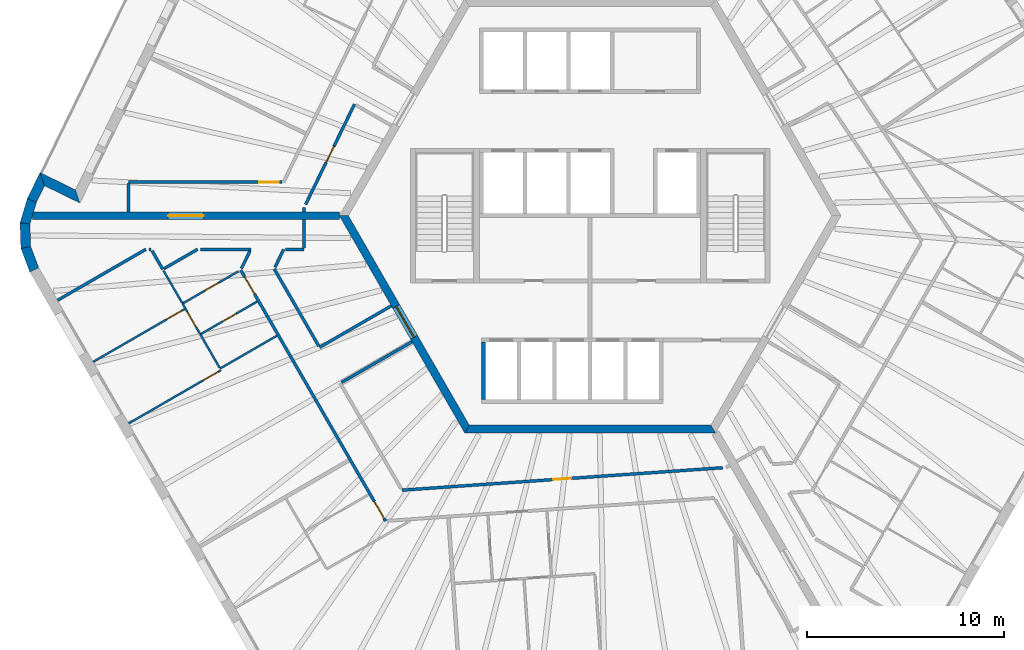
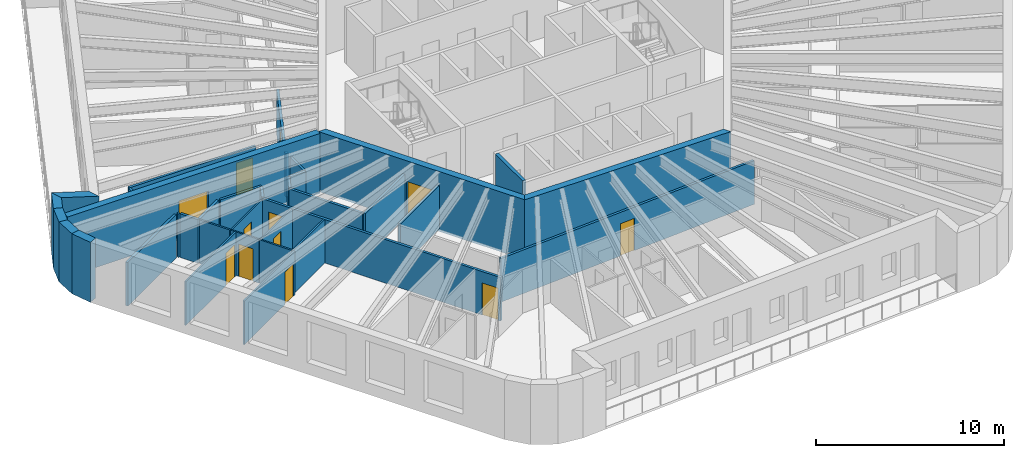
# One storey, part 4 of 12: 35 walls, 12 doors, 12 openings.
"""IFC4 building model written with IfcOpenShell, lengths in metres."""

from ifc_helpers import new_model, si_unit, direction, frame, frame_2d, origin, place, context, subcontext, project, spatial, polyline, rectangle, outline, extrude, material, layer, layer_set, type_object, element, fill, save


model = new_model("IFC4")

# Units and contexts
model_context = context("Model", 3, precision=1e-05, world=origin(), true_north=direction((0.0, 1.0)))
body_context = subcontext(model_context, "Body", "Model", "MODEL_VIEW")
ifc_project = project(units=[si_unit("LENGTHUNIT", "METRE"), si_unit("AREAUNIT", "SQUARE_METRE"), si_unit("VOLUMEUNIT", "CUBIC_METRE"), si_unit("PLANEANGLEUNIT", "RADIAN"), si_unit("MASSUNIT", "GRAM", prefix="KILO")], contexts=[model_context])

# Site, building, storey
site_placement = place(None, origin())
site = spatial("IfcSite", under=ifc_project, at=site_placement, CompositionType="ELEMENT")
building_placement = place(site_placement, origin())
building = spatial("IfcBuilding", under=site, at=building_placement, Name="Tarnside Tower", CompositionType="ELEMENT")
storey_placement = place(building_placement, frame((0.0, 0.0, 330.300048828125)))
storey = spatial("IfcBuildingStorey", under=building, at=storey_placement, Name="L80", CompositionType="ELEMENT", Elevation=330.300048828125)

# Wall
ifc_material_1 = material(Name="Gypsum board partition on steel studs", Category="steel")
ifc_layer_1 = layer(ifc_material_1, 0.10009765625)
ifc_layer_set_1 = layer_set([ifc_layer_1], Name="Bathroom wall 100")
wall_type_1 = type_object("IfcWallType", Name="Bathroom wall 100", PredefinedType="PARTITIONING", material=ifc_layer_set_1)
wall_1_placement = place(storey_placement, frame((-15.861083984375, -6.07763671875, 0.0), z_axis=(0.0, 0.0, 1.0), x_axis=(-0.866020521143, -0.500008456887, 0.0)))
element("IfcWall", 1, at=wall_1_placement, inside=storey, type_object=wall_type_1, Name="Bathroom wall 26109", PredefinedType="PARTITIONING", context=body_context, shape_type="SweptSolid", body=[
    extrude(rectangle(XDim=3.3251953125, YDim=0.10009765625, at=frame_2d((1.66259765625, 0.0))), origin(), (0.0, 0.0, 1.0), 2.837646484375),
])

# Wall, opening, door
wall_2_placement = place(storey_placement, frame((-19.74072265625, -6.008056640625, 0.0), z_axis=(0.0, 0.0, 1.0), x_axis=(0.866052313871, 0.499953387465, 0.0)))
wall_2 = element("IfcWall", 2, at=wall_2_placement, inside=storey, type_object=wall_type_1, Name="Bathroom wall 26113", PredefinedType="PARTITIONING", context=body_context, shape_type="SweptSolid", body=[
    extrude(rectangle(XDim=3.324951171875, YDim=0.10009765625, at=frame_2d((1.66259765625, 0.0))), origin(), (0.0, 0.0, 1.0), 2.837646484375),
])
opening_1_placement = place(wall_2_placement, frame((1.300048828125, 0.0, 0.0)))
opening_1 = element("IfcOpeningElement", 3, at=opening_1_placement, cuts=wall_2, Name="Opening D-B1", PredefinedType="OPENING", context=body_context, shape_type="SweptSolid", body=[
    extrude(rectangle(XDim=0.800048828125, YDim=2.10009765625, at=frame_2d((0.39990234375, 1.050048828125))), frame((0.0, 0.06005859375, 0.0), z_axis=(0.0, -1.0, 0.0), x_axis=(1.0, 0.0, 0.0)), (0.0, 0.0, 1.0), 0.1201171875),
])
ifc_material_2 = material(Name="Timber door leaf", Category="wood")
door_type_1 = type_object("IfcDoorType", Name="Bathroom door 800", OperationType="NOTDEFINED", PredefinedType="DOOR", material=ifc_material_2)
door_1_placement = place(opening_1_placement, origin())
door_1 = element("IfcDoor", 4, at=door_1_placement, inside=storey, type_object=door_type_1, Name="Bathroom door 26020", OperationType="SINGLE_SWING_LEFT", OverallHeight=2.10009765625, OverallWidth=0.800048828125, PredefinedType="DOOR", context=body_context, shape_type="SweptSolid", body=[
    extrude(rectangle(XDim=0.800048828125, YDim=2.10009765625, at=frame_2d((0.39990234375, 1.050048828125))), frame((0.0, 0.02490234375, 0.0), z_axis=(0.0, -1.0, 0.0), x_axis=(1.0, 0.0, 0.0)), (0.0, 0.0, 1.0), 0.050048828125),
])
fill(opening_1, door_1)

wall_3_placement = place(storey_placement, frame((-17.812255859375, -2.81640625, 0.0), z_axis=(0.0, 0.0, 1.0), x_axis=(-0.866044918084, -0.499966198718, 0.0)))
wall_3 = element("IfcWall", 5, at=wall_3_placement, inside=storey, type_object=wall_type_1, Name="Bathroom wall 26116", PredefinedType="PARTITIONING", context=body_context, shape_type="SweptSolid", body=[
    extrude(rectangle(XDim=3.265869140625, YDim=0.10009765625, at=frame_2d((1.6328125, 0.0))), origin(), (0.0, 0.0, 1.0), 2.837646484375),
])
opening_2_placement = place(wall_3_placement, frame((1.165771484375, 0.0, 0.0)))
opening_2 = element("IfcOpeningElement", 6, at=opening_2_placement, cuts=wall_3, Name="Opening D-B1", PredefinedType="OPENING", context=body_context, shape_type="SweptSolid", body=[
    extrude(rectangle(XDim=0.800048828125, YDim=2.10009765625, at=frame_2d((0.39990234375, 1.050048828125))), frame((0.0, 0.06005859375, 0.0), z_axis=(0.0, -1.0, 0.0), x_axis=(1.0, 0.0, 0.0)), (0.0, 0.0, 1.0), 0.1201171875),
])
door_2_placement = place(opening_2_placement, origin())
door_2 = element("IfcDoor", 7, at=door_2_placement, inside=storey, type_object=door_type_1, Name="Bathroom door 26029", OperationType="SINGLE_SWING_RIGHT", OverallHeight=2.10009765625, OverallWidth=0.800048828125, PredefinedType="DOOR", context=body_context, shape_type="SweptSolid", body=[
    extrude(rectangle(XDim=0.800048828125, YDim=2.10009765625, at=frame_2d((0.39990234375, 1.050048828125))), frame((0.0, 0.02490234375, 0.0), z_axis=(0.0, -1.0, 0.0), x_axis=(1.0, 0.0, 0.0)), (0.0, 0.0, 1.0), 0.050048828125),
])
fill(opening_2, door_2)

# Walls
wall_4_placement = place(storey_placement, frame((-19.74169921875, -6.00634765625, 0.0), z_axis=(0.0, 0.0, 1.0), x_axis=(0.499982003349, -0.866035793907, 0.0)))
element("IfcWall", 8, at=wall_4_placement, inside=storey, type_object=wall_type_1, Name="Bathroom wall 26117", PredefinedType="PARTITIONING", context=body_context, shape_type="SweptSolid", body=[
    extrude(rectangle(XDim=1.9541015625, YDim=0.10009765625, at=frame_2d((0.97705078125, 0.0))), origin(), (0.0, 0.0, 1.0), 2.837646484375),
])
wall_5_placement = place(storey_placement, frame((-20.665771484375, -4.406005859375, 0.0), z_axis=(0.0, 0.0, 1.0), x_axis=(-0.500004234368, 0.866022959057, 0.0)))
element("IfcWall", 9, at=wall_5_placement, inside=storey, type_object=wall_type_1, Name="Bathroom wall 26119", PredefinedType="PARTITIONING", context=body_context, shape_type="SweptSolid", body=[
    extrude(rectangle(XDim=1.875, YDim=0.10009765625, at=frame_2d((0.9375, 0.0))), origin(), (0.0, 0.0, 1.0), 2.837646484375),
])

# Wall, opening, door
ifc_material_3 = material(Name="Concrete C60/75", Category="concrete")
ifc_layer_2 = layer(ifc_material_3, 0.39990234375)
ifc_layer_set_2 = layer_set([ifc_layer_2], Name="Core wall Z3 400 C60/75")
wall_type_2 = type_object("IfcWallType", Name="Core wall Z3 400 C60/75", PredefinedType="SHEAR", material=ifc_layer_set_2)
wall_6_placement = place(storey_placement, frame((-12.470703125, 0.0, -0.150146484375), z_axis=(0.0, 0.0, 1.0), x_axis=(0.499996419489, -0.866027470984, 0.0)))
wall_6 = element("IfcWall", 10, at=wall_6_placement, inside=storey, type_object=wall_type_2, Name="L80 core wall face 3", PredefinedType="SHEAR", context=body_context, shape_type="SweptSolid", body=[
    extrude(outline(polyline([(-0.115478515625, -0.199951171875), (12.586181640625, -0.199951171875), (12.355224609375, 0.199951171875), (0.115478515625, 0.199951171875), (-0.115478515625, -0.199951171875)])), origin(), (0.0, 0.0, 1.0), 3.900146484375),
])
opening_3_placement = place(wall_6_placement, frame((5.306396484375, 0.0, 0.14990234375)))
opening_3 = element("IfcOpeningElement", 11, at=opening_3_placement, cuts=wall_6, Name="Opening CD-FFL", PredefinedType="OPENING", context=body_context, shape_type="SweptSolid", body=[
    extrude(rectangle(XDim=1.800048828125, YDim=2.39990234375, at=frame_2d((0.89990234375, 1.199951171875))), frame((0.0, 0.2099609375, 0.0), z_axis=(0.0, -1.0, 0.0), x_axis=(1.0, 0.0, 0.0)), (0.0, 0.0, 1.0), 0.419921875),
])
ifc_material_4 = material(Name="Steel fire door", Category="steel")
door_type_2 = type_object("IfcDoorType", Name="Firefighting lobby double door FD60S 1800x2400", OperationType="NOTDEFINED", PredefinedType="DOOR", material=ifc_material_4)
door_3_placement = place(opening_3_placement, origin())
door_3 = element("IfcDoor", 12, at=door_3_placement, inside=storey, type_object=door_type_2, Name="L80 core door P3", OperationType="DOUBLE_DOOR_SINGLE_SWING", OverallHeight=2.39990234375, OverallWidth=1.800048828125, PredefinedType="DOOR", context=body_context, shape_type="SweptSolid", body=[
    extrude(rectangle(XDim=1.800048828125, YDim=2.39990234375, at=frame_2d((0.89990234375, 1.199951171875))), frame((0.0, 0.02490234375, 0.0), z_axis=(0.0, -1.0, 0.0), x_axis=(1.0, 0.0, 0.0)), (0.0, 0.0, 1.0), 0.050048828125),
])
fill(opening_3, door_3)

# Wall
wall_7_placement = place(storey_placement, frame((-6.2353515625, -10.800048828125, -0.150146484375), z_axis=(0.0, 0.0, 1.0), x_axis=(1.0, 0.0, 0.0)))
element("IfcWall", 13, at=wall_7_placement, inside=storey, type_object=wall_type_2, Name="L80 core wall face 4", PredefinedType="SHEAR", context=body_context, shape_type="SweptSolid", body=[
    extrude(outline(polyline([(-0.115478515625, -0.199951171875), (12.586181640625, -0.199951171875), (12.355224609375, 0.199951171875), (0.115478515625, 0.199951171875), (-0.115478515625, -0.199951171875)])), origin(), (0.0, 0.0, 1.0), 3.900146484375),
])

# Wall, opening, door
wall_8_placement = place(storey_placement, frame((-12.70166015625, 0.0, -0.150146484375), z_axis=(0.0, 0.0, 1.0), x_axis=(-1.0, 0.0, 0.0)))
wall_8 = element("IfcWall", 14, at=wall_8_placement, inside=storey, type_object=wall_type_2, Name="L80 spine wall 2", PredefinedType="SHEAR", context=body_context, shape_type="SweptSolid", body=[
    extrude(rectangle(XDim=15.54443359375, YDim=0.39990234375, at=frame_2d((7.772216796875, 0.0))), origin(), (0.0, 0.0, 1.0), 3.900146484375),
])
opening_4_placement = place(wall_8_placement, frame((6.872314453125, 0.0, 0.14990234375)))
opening_4 = element("IfcOpeningElement", 15, at=opening_4_placement, cuts=wall_8, Name="Opening CD-SPN", PredefinedType="OPENING", context=body_context, shape_type="SweptSolid", body=[
    extrude(rectangle(XDim=1.800048828125, YDim=2.39990234375, at=frame_2d((0.89990234375, 1.199951171875))), frame((0.0, 0.2099609375, 0.0), z_axis=(0.0, -1.0, 0.0), x_axis=(1.0, 0.0, 0.0)), (0.0, 0.0, 1.0), 0.419921875),
])
door_type_3 = type_object("IfcDoorType", Name="Spine passage double door FD60 1800x2400", OperationType="NOTDEFINED", PredefinedType="DOOR", material=ifc_material_4)
door_4_placement = place(opening_4_placement, origin())
door_4 = element("IfcDoor", 16, at=door_4_placement, inside=storey, type_object=door_type_3, Name="L80 spine passage door 2", OperationType="DOUBLE_DOOR_SINGLE_SWING", OverallHeight=2.39990234375, OverallWidth=1.800048828125, PredefinedType="DOOR", context=body_context, shape_type="SweptSolid", body=[
    extrude(rectangle(XDim=1.800048828125, YDim=2.39990234375, at=frame_2d((0.89990234375, 1.199951171875))), frame((0.0, 0.02490234375, 0.0), z_axis=(0.0, -1.0, 0.0), x_axis=(1.0, 0.0, 0.0)), (0.0, 0.0, 1.0), 0.050048828125),
])
fill(opening_4, door_4)

ifc_layer_3 = layer(ifc_material_1, 0.14990234375)
ifc_layer_set_3 = layer_set([ifc_layer_3], Name="Corridor wall 150 EI 60")
wall_type_3 = type_object("IfcWallType", Name="Corridor wall 150 EI 60", PredefinedType="PARTITIONING", material=ifc_layer_set_3)
wall_9_placement = place(storey_placement, frame((-15.609619140625, 1.699951171875, 0.0), z_axis=(0.0, 0.0, 1.0), x_axis=(-1.0, 0.0, 0.0)))
wall_9 = element("IfcWall", 17, at=wall_9_placement, inside=storey, type_object=wall_type_3, Name="Corridor wall 26015", PredefinedType="PARTITIONING", context=body_context, shape_type="SweptSolid", body=[
    extrude(rectangle(XDim=7.764404296875, YDim=0.14990234375, at=frame_2d((3.88232421875, 0.0))), origin(), (0.0, 0.0, 1.0), 2.837646484375),
])
opening_5_placement = place(wall_9_placement, frame((0.14990234375, 0.0, 0.0)))
opening_5 = element("IfcOpeningElement", 18, at=opening_5_placement, cuts=wall_9, Name="Opening D-E1", PredefinedType="OPENING", context=body_context, shape_type="SweptSolid", body=[
    extrude(rectangle(XDim=1.0, YDim=2.10009765625, at=frame_2d((0.5, 1.050048828125))), frame((0.0, 0.0849609375, 0.0), z_axis=(0.0, -1.0, 0.0), x_axis=(1.0, 0.0, 0.0)), (0.0, 0.0, 1.0), 0.169921875),
])
door_type_4 = type_object("IfcDoorType", Name="Unit entrance door 1000 FD30S", OperationType="NOTDEFINED", PredefinedType="DOOR", material=ifc_material_2)
door_5_placement = place(opening_5_placement, origin())
door_5 = element("IfcDoor", 19, at=door_5_placement, inside=storey, type_object=door_type_4, Name="Unit door 26018", OperationType="SINGLE_SWING_RIGHT", OverallHeight=2.10009765625, OverallWidth=1.0, PredefinedType="DOOR", context=body_context, shape_type="SweptSolid", body=[
    extrude(rectangle(XDim=1.0, YDim=2.10009765625, at=frame_2d((0.5, 1.050048828125))), frame((0.0, 0.02490234375, 0.0), z_axis=(0.0, -1.0, 0.0), x_axis=(1.0, 0.0, 0.0)), (0.0, 0.0, 1.0), 0.050048828125),
])
fill(opening_5, door_5)

# Walls
wall_10_placement = place(storey_placement, frame((-23.3740234375, 1.625, 0.0), z_axis=(0.0, 0.0, 1.0), x_axis=(0.0, -1.0, 0.0)))
element("IfcWall", 20, at=wall_10_placement, inside=storey, type_object=wall_type_3, Name="Corridor wall 26016", PredefinedType="PARTITIONING", context=body_context, shape_type="SweptSolid", body=[
    extrude(rectangle(XDim=1.425048828125, YDim=0.14990234375, at=frame_2d((0.71240234375, 0.0))), origin(), (0.0, 0.0, 1.0), 2.837646484375),
])
wall_11_placement = place(storey_placement, frame((-14.486328125, 0.199951171875, 0.0), z_axis=(0.0, 0.0, 1.0), x_axis=(0.0, 1.0, 0.0)))
element("IfcWall", 21, at=wall_11_placement, inside=storey, type_object=wall_type_3, Name="Corridor wall 26023", PredefinedType="PARTITIONING", context=body_context, shape_type="SweptSolid", body=[
    extrude(rectangle(XDim=0.210205078125, YDim=0.14990234375, at=frame_2d((0.10498046875, 0.0))), origin(), (0.0, 0.0, 1.0), 2.837646484375),
])

# Wall, opening, door
wall_12_placement = place(storey_placement, frame((-14.411376953125, 0.563720703125, 0.0), z_axis=(0.0, 0.0, 1.0), x_axis=(0.438363210996, 0.898797916801, 0.0)))
wall_12 = element("IfcWall", 22, at=wall_12_placement, inside=storey, type_object=wall_type_3, Name="Corridor wall 26024", PredefinedType="PARTITIONING", context=body_context, shape_type="SweptSolid", body=[
    extrude(rectangle(XDim=5.65234375, YDim=0.14990234375, at=frame_2d((2.826171875, 0.0))), origin(), (0.0, 0.0, 1.0), 2.837646484375),
])
opening_6_placement = place(wall_12_placement, frame((2.376220703125, 0.0, 0.0)))
opening_6 = element("IfcOpeningElement", 23, at=opening_6_placement, cuts=wall_12, Name="Opening D-S1", PredefinedType="OPENING", context=body_context, shape_type="SweptSolid", body=[
    extrude(rectangle(XDim=0.89990234375, YDim=2.10009765625, at=frame_2d((0.449951171875, 1.050048828125))), frame((0.0, 0.0849609375, 0.0), z_axis=(0.0, -1.0, 0.0), x_axis=(1.0, 0.0, 0.0)), (0.0, 0.0, 1.0), 0.169921875),
])
door_type_5 = type_object("IfcDoorType", Name="Service room door 900 FD30S", OperationType="NOTDEFINED", PredefinedType="DOOR", material=ifc_material_2)
door_6_placement = place(opening_6_placement, origin())
door_6 = element("IfcDoor", 24, at=door_6_placement, inside=storey, type_object=door_type_5, Name="Service door 26073", OperationType="SINGLE_SWING_LEFT", OverallHeight=2.10009765625, OverallWidth=0.89990234375, PredefinedType="DOOR", context=body_context, shape_type="SweptSolid", body=[
    extrude(rectangle(XDim=0.89990234375, YDim=2.10009765625, at=frame_2d((0.449951171875, 1.050048828125))), frame((0.0, 0.02490234375, 0.0), z_axis=(0.0, -1.0, 0.0), x_axis=(1.0, 0.0, 0.0)), (0.0, 0.0, 1.0), 0.050048828125),
])
fill(opening_6, door_6)

# Wall, openings, doors
wall_13_placement = place(storey_placement, frame((-17.6962890625, -2.749267578125, 0.0), z_axis=(0.0, 0.0, 1.0), x_axis=(0.499997948852, -0.866026588012, 0.0)))
wall_13 = element("IfcWall", 25, at=wall_13_placement, inside=storey, type_object=wall_type_3, Name="Corridor wall 26026", PredefinedType="PARTITIONING", context=body_context, shape_type="SweptSolid", body=[
    extrude(rectangle(XDim=14.67724609375, YDim=0.14990234375, at=frame_2d((7.338623046875, 0.0))), origin(), (0.0, 0.0, 1.0), 2.837646484375),
])
opening_7_placement = place(wall_13_placement, frame((0.39990234375, 0.0, 0.0)))
opening_7 = element("IfcOpeningElement", 26, at=opening_7_placement, cuts=wall_13, Name="Opening D-E1", PredefinedType="OPENING", context=body_context, shape_type="SweptSolid", body=[
    extrude(rectangle(XDim=1.0, YDim=2.10009765625, at=frame_2d((0.5, 1.050048828125))), frame((0.0, 0.0849609375, 0.0), z_axis=(0.0, -1.0, 0.0), x_axis=(1.0, 0.0, 0.0)), (0.0, 0.0, 1.0), 0.169921875),
])
opening_8_placement = place(wall_13_placement, frame((13.52734375, 0.0, 0.0)))
opening_8 = element("IfcOpeningElement", 27, at=opening_8_placement, cuts=wall_13, Name="Opening D-E1", PredefinedType="OPENING", context=body_context, shape_type="SweptSolid", body=[
    extrude(rectangle(XDim=1.0, YDim=2.10009765625, at=frame_2d((0.5, 1.050048828125))), frame((0.0, 0.0849609375, 0.0), z_axis=(0.0, -1.0, 0.0), x_axis=(1.0, 0.0, 0.0)), (0.0, 0.0, 1.0), 0.169921875),
])
door_7_placement = place(opening_7_placement, origin())
door_7 = element("IfcDoor", 28, at=door_7_placement, inside=storey, type_object=door_type_4, Name="Unit door 26019", OperationType="SINGLE_SWING_RIGHT", OverallHeight=2.10009765625, OverallWidth=1.0, PredefinedType="DOOR", context=body_context, shape_type="SweptSolid", body=[
    extrude(rectangle(XDim=1.0, YDim=2.10009765625, at=frame_2d((0.5, 1.050048828125))), frame((0.0, 0.02490234375, 0.0), z_axis=(0.0, -1.0, 0.0), x_axis=(1.0, 0.0, 0.0)), (0.0, 0.0, 1.0), 0.050048828125),
])
fill(opening_7, door_7)
door_8_placement = place(opening_8_placement, origin())
door_8 = element("IfcDoor", 29, at=door_8_placement, inside=storey, type_object=door_type_4, Name="Unit door 26030", OperationType="SINGLE_SWING_LEFT", OverallHeight=2.10009765625, OverallWidth=1.0, PredefinedType="DOOR", context=body_context, shape_type="SweptSolid", body=[
    extrude(rectangle(XDim=1.0, YDim=2.10009765625, at=frame_2d((0.5, 1.050048828125))), frame((0.0, 0.02490234375, 0.0), z_axis=(0.0, -1.0, 0.0), x_axis=(1.0, 0.0, 0.0)), (0.0, 0.0, 1.0), 0.050048828125),
])
fill(opening_8, door_8)

# Walls
wall_14_placement = place(storey_placement, frame((-26.97119140625, -4.284423828125, 0.0), z_axis=(0.0, 0.0, 1.0), x_axis=(0.866019619451, 0.500010018626, 0.0)))
element("IfcWall", 30, at=wall_14_placement, inside=storey, type_object=wall_type_3, Name="Corridor wall 26029", PredefinedType="PARTITIONING", context=body_context, shape_type="SweptSolid", body=[
    extrude(rectangle(XDim=5.1689453125, YDim=0.14990234375, at=frame_2d((2.58447265625, 0.0))), origin(), (0.0, 0.0, 1.0), 2.837646484375),
])
wall_15_placement = place(storey_placement, frame((-22.344970703125, -1.699951171875, 0.0), z_axis=(0.0, 0.0, 1.0), x_axis=(1.0, 0.0, 0.0)))
element("IfcWall", 31, at=wall_15_placement, inside=storey, type_object=wall_type_3, Name="Corridor wall 26030", PredefinedType="PARTITIONING", context=body_context, shape_type="SweptSolid", body=[
    extrude(rectangle(XDim=0.116943359375, YDim=0.14990234375, at=frame_2d((0.05859375, 0.0))), origin(), (0.0, 0.0, 1.0), 2.837646484375),
])
wall_16_placement = place(storey_placement, frame((-22.1845703125, -1.77490234375, 0.0), z_axis=(0.0, 0.0, 1.0), x_axis=(0.499819250349, -0.866129734497, 0.0)))
element("IfcWall", 32, at=wall_16_placement, inside=storey, type_object=wall_type_3, Name="Corridor wall 26031", PredefinedType="PARTITIONING", context=body_context, shape_type="SweptSolid", body=[
    extrude(rectangle(XDim=1.091796875, YDim=0.14990234375, at=frame_2d((0.5458984375, 0.0))), origin(), (0.0, 0.0, 1.0), 2.837646484375),
])
wall_17_placement = place(storey_placement, frame((-21.57568359375, -2.6796875, 0.0), z_axis=(0.0, 0.0, 1.0), x_axis=(0.866034128446, 0.499984888139, 0.0)))
element("IfcWall", 33, at=wall_17_placement, inside=storey, type_object=wall_type_3, Name="Corridor wall 26032", PredefinedType="PARTITIONING", context=body_context, shape_type="SweptSolid", body=[
    extrude(rectangle(XDim=1.95947265625, YDim=0.14990234375, at=frame_2d((0.979736328125, 0.0))), origin(), (0.0, 0.0, 1.0), 2.837646484375),
])
wall_18_placement = place(storey_placement, frame((-19.728759765625, -1.699951171875, 0.0), z_axis=(0.0, 0.0, 1.0), x_axis=(1.0, 0.0, 0.0)))
element("IfcWall", 34, at=wall_18_placement, inside=storey, type_object=wall_type_3, Name="Corridor wall 26033", PredefinedType="PARTITIONING", context=body_context, shape_type="SweptSolid", body=[
    extrude(rectangle(XDim=2.54443359375, YDim=0.14990234375, at=frame_2d((1.272216796875, 0.0))), origin(), (0.0, 0.0, 1.0), 2.837646484375),
])
wall_19_placement = place(storey_placement, frame((-17.220947265625, -1.77490234375, 0.0), z_axis=(0.0, 0.0, 1.0), x_axis=(-0.43834617456, -0.89880622564, 0.0)))
element("IfcWall", 35, at=wall_19_placement, inside=storey, type_object=wall_type_3, Name="Corridor wall 26034", PredefinedType="PARTITIONING", context=body_context, shape_type="SweptSolid", body=[
    extrude(rectangle(XDim=0.99365234375, YDim=0.14990234375, at=frame_2d((0.496826171875, 0.0))), origin(), (0.0, 0.0, 1.0), 2.837646484375),
])
wall_20_placement = place(storey_placement, frame((-10.065673828125, -4.565673828125, 0.0), z_axis=(0.0, 0.0, 1.0), x_axis=(-0.866023935413, -0.500002543286, 0.0)))
element("IfcWall", 36, at=wall_20_placement, inside=storey, type_object=wall_type_3, Name="Corridor wall 26045", PredefinedType="PARTITIONING", context=body_context, shape_type="SweptSolid", body=[
    extrude(rectangle(XDim=4.2001953125, YDim=0.14990234375, at=frame_2d((2.10009765625, 0.0))), origin(), (0.0, 0.0, 1.0), 2.837646484375),
])
wall_21_placement = place(storey_placement, frame((-13.740478515625, -6.600830078125, 0.0), z_axis=(0.0, 0.0, 1.0), x_axis=(-0.499976727135, 0.866038839962, 0.0)))
element("IfcWall", 37, at=wall_21_placement, inside=storey, type_object=wall_type_3, Name="Corridor wall 26046", PredefinedType="PARTITIONING", context=body_context, shape_type="SweptSolid", body=[
    extrude(rectangle(XDim=4.515869140625, YDim=0.14990234375, at=frame_2d((2.2578125, 0.0))), origin(), (0.0, 0.0, 1.0), 2.837646484375),
])
wall_22_placement = place(storey_placement, frame((-15.958740234375, -2.608642578125, 0.0), z_axis=(0.0, 0.0, 1.0), x_axis=(0.43849974808, 0.898731311869, 0.0)))
element("IfcWall", 38, at=wall_22_placement, inside=storey, type_object=wall_type_3, Name="Corridor wall 26047", PredefinedType="PARTITIONING", context=body_context, shape_type="SweptSolid", body=[
    extrude(rectangle(XDim=1.010986328125, YDim=0.14990234375, at=frame_2d((0.50537109375, 0.0))), origin(), (0.0, 0.0, 1.0), 2.837646484375),
])
wall_23_placement = place(storey_placement, frame((-15.43212890625, -1.699951171875, 0.0), z_axis=(0.0, 0.0, 1.0), x_axis=(1.0, 0.0, 0.0)))
element("IfcWall", 39, at=wall_23_placement, inside=storey, type_object=wall_type_3, Name="Corridor wall 26048", PredefinedType="PARTITIONING", context=body_context, shape_type="SweptSolid", body=[
    extrude(rectangle(XDim=0.94580078125, YDim=0.14990234375, at=frame_2d((0.472900390625, 0.0))), origin(), (0.0, 0.0, 1.0), 2.837646484375),
])
wall_24_placement = place(storey_placement, frame((-14.486328125, -1.625, 0.0), z_axis=(0.0, 0.0, 1.0), x_axis=(0.0, 1.0, 0.0)))
element("IfcWall", 40, at=wall_24_placement, inside=storey, type_object=wall_type_3, Name="Corridor wall 26049", PredefinedType="PARTITIONING", context=body_context, shape_type="SweptSolid", body=[
    extrude(rectangle(XDim=1.425048828125, YDim=0.14990234375, at=frame_2d((0.71240234375, 0.0))), origin(), (0.0, 0.0, 1.0), 2.837646484375),
])

# Wall, opening, door
wall_25_placement = place(storey_placement, frame((6.71728515625, -12.762451171875, 0.0), z_axis=(0.0, 0.0, 1.0), x_axis=(-0.99756375843, -0.069760646978, 0.0)))
wall_25 = element("IfcWall", 41, at=wall_25_placement, inside=storey, type_object=wall_type_3, Name="Corridor wall 26051", PredefinedType="PARTITIONING", context=body_context, shape_type="SweptSolid", body=[
    extrude(rectangle(XDim=16.283935546875, YDim=0.14990234375, at=frame_2d((8.14208984375, 0.0))), origin(), (0.0, 0.0, 1.0), 2.837646484375),
])
opening_9_placement = place(wall_25_placement, frame((7.692138671875, 0.0, 0.0)))
opening_9 = element("IfcOpeningElement", 42, at=opening_9_placement, cuts=wall_25, Name="Opening D-S1", PredefinedType="OPENING", context=body_context, shape_type="SweptSolid", body=[
    extrude(rectangle(XDim=0.89990234375, YDim=2.10009765625, at=frame_2d((0.449951171875, 1.050048828125))), frame((0.0, 0.0849609375, 0.0), z_axis=(0.0, -1.0, 0.0), x_axis=(1.0, 0.0, 0.0)), (0.0, 0.0, 1.0), 0.169921875),
])
door_9_placement = place(opening_9_placement, origin())
door_9 = element("IfcDoor", 43, at=door_9_placement, inside=storey, type_object=door_type_5, Name="Service door 26074", OperationType="SINGLE_SWING_RIGHT", OverallHeight=2.10009765625, OverallWidth=0.89990234375, PredefinedType="DOOR", context=body_context, shape_type="SweptSolid", body=[
    extrude(rectangle(XDim=0.89990234375, YDim=2.10009765625, at=frame_2d((0.449951171875, 1.050048828125))), frame((0.0, 0.02490234375, 0.0), z_axis=(0.0, -1.0, 0.0), x_axis=(1.0, 0.0, 0.0)), (0.0, 0.0, 1.0), 0.050048828125),
])
fill(opening_9, door_9)

# Walls
wall_26_placement = place(storey_placement, frame((-12.588134765625, -8.44677734375, 0.0), z_axis=(0.0, 0.0, 1.0), x_axis=(0.866034795751, 0.499983732284, 0.0)))
element("IfcWall", 44, at=wall_26_placement, inside=storey, type_object=wall_type_3, Name="Corridor wall 26053", PredefinedType="PARTITIONING", context=body_context, shape_type="SweptSolid", body=[
    extrude(rectangle(XDim=4.125244140625, YDim=0.14990234375, at=frame_2d((2.0625, 0.0))), origin(), (0.0, 0.0, 1.0), 2.837646484375),
])
ifc_material_5 = material(Name="Concrete C40/50", Category="concrete")
ifc_layer_4 = layer(ifc_material_5, 0.199951171875)
ifc_layer_set_4 = layer_set([ifc_layer_4], Name="Lift shaft wall 200 C40/50")
wall_type_4 = type_object("IfcWallType", Name="Lift shaft wall 200 C40/50", PredefinedType="SHEAR", material=ifc_layer_set_4)
wall_27_placement = place(storey_placement, frame((-5.39990234375, -9.300048828125, -0.25), z_axis=(0.0, 0.0, 1.0), x_axis=(0.0, 1.0, 0.0)))
element("IfcWall", 45, at=wall_27_placement, inside=storey, type_object=wall_type_4, Name="L80 lift shaft partition R41", PredefinedType="SHEAR", context=body_context, shape_type="SweptSolid", body=[
    extrude(rectangle(XDim=2.900146484375, YDim=0.199951171875, at=frame_2d((1.4501953125, 0.0))), origin(), (0.0, 0.0, 1.0), 3.89990234375),
])
ifc_material_6 = material(Name="Dark zinc cladding")
ifc_layer_5 = layer(ifc_material_6, 0.10205078125)
ifc_material_7 = material(Name="Concrete C60/75 precast", Category="concrete")
ifc_layer_6 = layer(ifc_material_7, 0.298095703125)
ifc_material_8 = material(Name="Mineral wool insulation")
ifc_layer_7 = layer(ifc_material_8, 0.10009765625)
ifc_layer_set_5 = layer_set([ifc_layer_5, ifc_layer_6, ifc_layer_7], Name="Loggia wall 500 zinc faced")
wall_type_5 = type_object("IfcWallType", Name="Loggia wall 500 zinc faced", PredefinedType="SOLIDWALL", material=ifc_layer_set_5)
wall_28_placement = place(storey_placement, frame((-25.9482421875, 0.97607421875, -0.150146484375), z_axis=(0.0, 0.0, 1.0), x_axis=(-0.898802465371, 0.438353884714, 0.0)))
element("IfcWall", 46, at=wall_28_placement, inside=storey, type_object=wall_type_5, Name="Tube wall L80 F2 return 07", PredefinedType="SOLIDWALL", context=body_context, shape_type="SweptSolid", body=[
    extrude(outline(polyline([(0.25, -0.25), (2.25, -0.25), (1.75, 0.25), (-0.25, 0.25), (0.25, -0.25)])), origin(), (0.0, 0.0, 1.0), 3.900146484375),
])
wall_29_placement = place(storey_placement, frame((-27.745849609375, 1.852783203125, -0.150146484375), z_axis=(0.0, 0.0, 1.0), x_axis=(-0.438319390103, -0.898819287877, 0.0)))
element("IfcWall", 47, at=wall_29_placement, inside=storey, type_object=wall_type_5, Name="Tube wall L80 F2 stub 08", PredefinedType="SOLIDWALL", context=body_context, shape_type="SweptSolid", body=[
    extrude(outline(polyline([(-0.25, -0.25), (1.22021484375, -0.25), (1.17919921875, 0.25), (0.25, 0.25), (-0.25, -0.25)])), origin(), (0.0, 0.0, 1.0), 3.900146484375),
])

# Wall, opening, door
ifc_layer_8 = layer(ifc_material_1, 0.10009765625)
ifc_layer_set_6 = layer_set([ifc_layer_8], Name="Partition 100")
wall_type_6 = type_object("IfcWallType", Name="Partition 100", PredefinedType="PARTITIONING", material=ifc_layer_set_6)
wall_30_placement = place(storey_placement, frame((-18.69482421875, -7.81982421875, 0.0), z_axis=(0.0, 0.0, 1.0), x_axis=(-0.866028230842, -0.499995103361, 0.0)))
wall_30 = element("IfcWall", 48, at=wall_30_placement, inside=storey, type_object=wall_type_6, Name="Partition wall 26110", PredefinedType="PARTITIONING", context=body_context, shape_type="SweptSolid", body=[
    extrude(rectangle(XDim=5.39990234375, YDim=0.10009765625, at=frame_2d((2.699951171875, 0.0))), origin(), (0.0, 0.0, 1.0), 2.837646484375),
])
opening_10_placement = place(wall_30_placement, frame((0.14990234375, 0.0, 0.0)))
opening_10 = element("IfcOpeningElement", 49, at=opening_10_placement, cuts=wall_30, Name="Opening D-I1", PredefinedType="OPENING", context=body_context, shape_type="SweptSolid", body=[
    extrude(rectangle(XDim=0.89990234375, YDim=2.10009765625, at=frame_2d((0.449951171875, 1.050048828125))), frame((0.0, 0.06005859375, 0.0), z_axis=(0.0, -1.0, 0.0), x_axis=(1.0, 0.0, 0.0)), (0.0, 0.0, 1.0), 0.1201171875),
])
door_type_6 = type_object("IfcDoorType", Name="Internal door 900", OperationType="NOTDEFINED", PredefinedType="DOOR", material=ifc_material_2)
door_10_placement = place(opening_10_placement, origin())
door_10 = element("IfcDoor", 50, at=door_10_placement, inside=storey, type_object=door_type_6, Name="Internal door 26028", OperationType="SINGLE_SWING_RIGHT", OverallHeight=2.10009765625, OverallWidth=0.89990234375, PredefinedType="DOOR", context=body_context, shape_type="SweptSolid", body=[
    extrude(rectangle(XDim=0.89990234375, YDim=2.10009765625, at=frame_2d((0.449951171875, 1.050048828125))), frame((0.0, 0.02490234375, 0.0), z_axis=(0.0, -1.0, 0.0), x_axis=(1.0, 0.0, 0.0)), (0.0, 0.0, 1.0), 0.050048828125),
])
fill(opening_10, door_10)

wall_31_placement = place(storey_placement, frame((-20.6416015625, -4.447509765625, 0.0), z_axis=(0.0, 0.0, 1.0), x_axis=(0.499971461383, -0.866041879935, 0.0)))
wall_31 = element("IfcWall", 51, at=wall_31_placement, inside=storey, type_object=wall_type_6, Name="Partition wall 26114", PredefinedType="PARTITIONING", context=body_context, shape_type="SweptSolid", body=[
    extrude(rectangle(XDim=1.75390625, YDim=0.10009765625, at=frame_2d((0.876953125, 0.0))), origin(), (0.0, 0.0, 1.0), 2.837646484375),
])
opening_11_placement = place(wall_31_placement, frame((0.493896484375, 0.0, 0.0)))
opening_11 = element("IfcOpeningElement", 52, at=opening_11_placement, cuts=wall_31, Name="Opening D-I1", PredefinedType="OPENING", context=body_context, shape_type="SweptSolid", body=[
    extrude(rectangle(XDim=0.89990234375, YDim=2.10009765625, at=frame_2d((0.449951171875, 1.050048828125))), frame((0.0, 0.06005859375, 0.0), z_axis=(0.0, -1.0, 0.0), x_axis=(1.0, 0.0, 0.0)), (0.0, 0.0, 1.0), 0.1201171875),
])
door_11_placement = place(opening_11_placement, origin())
door_11 = element("IfcDoor", 53, at=door_11_placement, inside=storey, type_object=door_type_6, Name="Internal door 26023", OperationType="SINGLE_SWING_RIGHT", OverallHeight=2.10009765625, OverallWidth=0.89990234375, PredefinedType="DOOR", context=body_context, shape_type="SweptSolid", body=[
    extrude(rectangle(XDim=0.89990234375, YDim=2.10009765625, at=frame_2d((0.449951171875, 1.050048828125))), frame((0.0, 0.02490234375, 0.0), z_axis=(0.0, -1.0, 0.0), x_axis=(1.0, 0.0, 0.0)), (0.0, 0.0, 1.0), 0.050048828125),
])
fill(opening_11, door_11)

wall_32_placement = place(storey_placement, frame((-25.171142578125, -7.402099609375, 0.0), z_axis=(0.0, 0.0, 1.0), x_axis=(0.866013074135, 0.500021354972, 0.0)))
wall_32 = element("IfcWall", 54, at=wall_32_placement, inside=storey, type_object=wall_type_6, Name="Partition wall 26118", PredefinedType="PARTITIONING", context=body_context, shape_type="SweptSolid", body=[
    extrude(rectangle(XDim=5.349853515625, YDim=0.10009765625, at=frame_2d((2.6748046875, 0.0))), origin(), (0.0, 0.0, 1.0), 2.837646484375),
])
opening_12_placement = place(wall_32_placement, frame((4.300048828125, 0.0, 0.0)))
opening_12 = element("IfcOpeningElement", 55, at=opening_12_placement, cuts=wall_32, Name="Opening D-I1", PredefinedType="OPENING", context=body_context, shape_type="SweptSolid", body=[
    extrude(rectangle(XDim=0.89990234375, YDim=2.10009765625, at=frame_2d((0.449951171875, 1.050048828125))), frame((0.0, 0.06005859375, 0.0), z_axis=(0.0, -1.0, 0.0), x_axis=(1.0, 0.0, 0.0)), (0.0, 0.0, 1.0), 0.1201171875),
])
door_12_placement = place(opening_12_placement, origin())
door_12 = element("IfcDoor", 56, at=door_12_placement, inside=storey, type_object=door_type_6, Name="Internal door 26026", OperationType="SINGLE_SWING_RIGHT", OverallHeight=2.10009765625, OverallWidth=0.89990234375, PredefinedType="DOOR", context=body_context, shape_type="SweptSolid", body=[
    extrude(rectangle(XDim=0.89990234375, YDim=2.10009765625, at=frame_2d((0.449951171875, 1.050048828125))), frame((0.0, 0.02490234375, 0.0), z_axis=(0.0, -1.0, 0.0), x_axis=(1.0, 0.0, 0.0)), (0.0, 0.0, 1.0), 0.050048828125),
])
fill(opening_12, door_12)

# Walls
ifc_material_9 = material(Name="Facing brick", Category="masonry")
ifc_layer_9 = layer(ifc_material_9, 0.10205078125)
ifc_layer_10 = layer(ifc_material_7, 0.298095703125)
ifc_layer_11 = layer(ifc_material_8, 0.10009765625)
ifc_layer_set_7 = layer_set([ifc_layer_9, ifc_layer_10, ifc_layer_11], Name="Tube wall 500 brick faced")
wall_type_7 = type_object("IfcWallType", Name="Tube wall 500 brick faced", PredefinedType="SOLIDWALL", material=ifc_layer_set_7)
wall_33_placement = place(storey_placement, frame((-28.271728515625, 0.7744140625, -0.150146484375), z_axis=(0.0, 0.0, 1.0), x_axis=(-0.286813843218, -0.957986335674, 0.0)))
element("IfcWall", 57, at=wall_33_placement, inside=storey, type_object=wall_type_7, Name="Tube wall L80 F2 chord 09", PredefinedType="SOLIDWALL", context=body_context, shape_type="SweptSolid", body=[
    extrude(outline(polyline([(-0.0205078125, -0.25), (1.25732421875, -0.25), (1.17529296875, 0.25), (0.0205078125, 0.25), (-0.0205078125, -0.25)])), origin(), (0.0, 0.0, 1.0), 3.900146484375),
])
wall_34_placement = place(storey_placement, frame((-28.62060546875, -0.390869140625, -0.150146484375), z_axis=(0.0, 0.0, 1.0), x_axis=(0.034925456137, -0.999389920158, 0.0)))
element("IfcWall", 58, at=wall_34_placement, inside=storey, type_object=wall_type_7, Name="Tube wall L80 F2 chord 10", PredefinedType="SOLIDWALL", context=body_context, shape_type="SweptSolid", body=[
    extrude(outline(polyline([(-0.041015625, -0.25), (1.25732421875, -0.25), (1.17529296875, 0.25), (0.041015625, 0.25), (-0.041015625, -0.25)])), origin(), (0.0, 0.0, 1.0), 3.900146484375),
])
wall_35_placement = place(storey_placement, frame((-28.578125, -1.6064453125, -0.150146484375), z_axis=(0.0, 0.0, 1.0), x_axis=(0.352838463023, -0.935684251771, 0.0)))
element("IfcWall", 59, at=wall_35_placement, inside=storey, type_object=wall_type_7, Name="Tube wall L80 F2 chord 11", PredefinedType="SOLIDWALL", context=body_context, shape_type="SweptSolid", body=[
    extrude(outline(polyline([(-0.041015625, -0.25), (1.23681640625, -0.25), (1.19580078125, 0.25), (0.041015625, 0.25), (-0.041015625, -0.25)])), origin(), (0.0, 0.0, 1.0), 3.900146484375),
])

save(model, "model.ifc")
